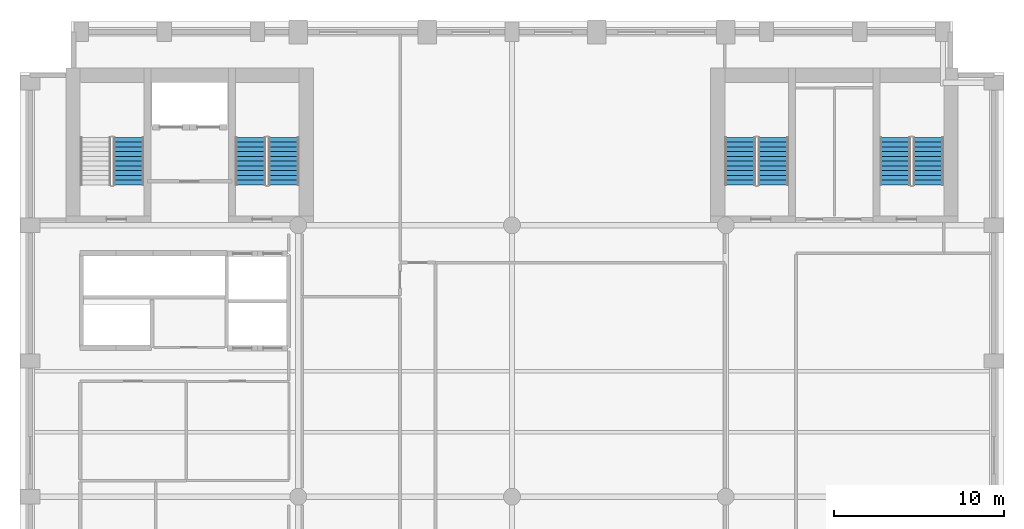
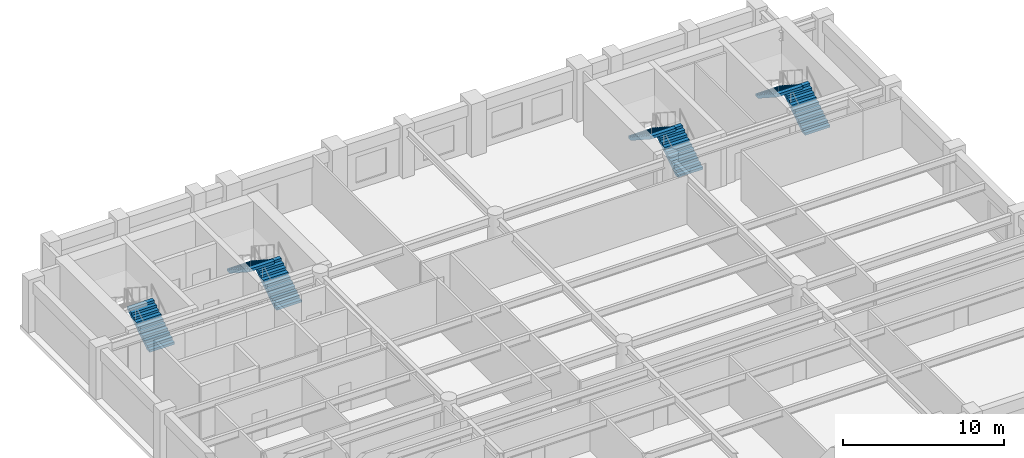
# One storey, part 6 of 8: 7 stair flights, 4 elements without a shape of their own.
"""IFC4 building model written with IfcOpenShell, lengths in metres."""

from ifc_helpers import new_model, si_unit, direction, frame, origin, place, context, subcontext, project, spatial, polyline, outline, extrude, material, type_object, element, aggregate, save


model = new_model("IFC4")

# Units and contexts
model_context = context("Model", 3, precision=1e-05, world=origin(), true_north=direction((0.0, 1.0)))
body_context = subcontext(model_context, "Body", "Model", "MODEL_VIEW")
ifc_project = project(units=[si_unit("LENGTHUNIT", "METRE"), si_unit("AREAUNIT", "SQUARE_METRE"), si_unit("VOLUMEUNIT", "CUBIC_METRE"), si_unit("PLANEANGLEUNIT", "RADIAN"), si_unit("MASSUNIT", "GRAM", prefix="KILO")], contexts=[model_context])

# Site, building, storey
site_placement = place(None, origin())
site = spatial("IfcSite", under=ifc_project, at=site_placement, CompositionType="ELEMENT")
building_placement = place(site_placement, origin())
building = spatial("IfcBuilding", under=site, at=building_placement, Name="Sulina Concourse Tower", CompositionType="ELEMENT")
storey_placement = place(building_placement, frame((0.0, 0.0, 132.60009765625)))
storey = spatial("IfcBuildingStorey", under=building, at=storey_placement, Name="L32", CompositionType="ELEMENT", Elevation=132.60009765625)

# Stair, stair flights
ifc_material_1 = material(Name="Concrete C50/60", Category="concrete")
stair_type_1 = type_object("IfcStairType", Name="Portal & Podium Core Exit Stair 1820mm", PredefinedType="HALF_TURN_STAIR", material=ifc_material_1)
stair_1_placement = place(storey_placement, origin())
stair_1 = element("IfcStair", 1, at=stair_1_placement, inside=storey, type_object=stair_type_1, Name="L32 ST-3", PredefinedType="HALF_TURN_STAIR")
ifc_material_2 = material(Name="Concrete C50/60", Category="concrete")
stair_flight_type_1 = type_object("IfcStairFlightType", Name="Portal & Podium Core Exit Stair 1820mm Flight", PredefinedType="STRAIGHT", material=ifc_material_2)
stair_flight_1_placement = place(storey_placement, frame((44.405029296875, 36.375, 0.0), z_axis=(0.0, 0.0, 1.0), x_axis=(0.0, 1.0, 0.0)))
stair_flight_1 = element("IfcStairFlight", 2, at=stair_flight_1_placement, type_object=stair_flight_type_1, Name="ST-3 flight 1", NumberOfRisers=11, NumberOfTreads=10, PredefinedType="STRAIGHT", RiserHeight=0.181818182, TreadLength=0.28, context=body_context, shape_type="SweptSolid", body=[
    extrude(outline(polyline([(0.0, 0.0), (0.0, 0.181884765625), (0.280029296875, 0.181884765625), (0.280029296875, 0.363525390625), (0.56005859375, 0.363525390625), (0.56005859375, 0.54541015625), (0.840087890625, 0.54541015625), (0.840087890625, 0.727294921875), (1.1201171875, 0.727294921875), (1.1201171875, 0.9091796875), (1.39990234375, 0.9091796875), (1.39990234375, 1.0908203125), (1.679931640625, 1.0908203125), (1.679931640625, 1.272705078125), (1.9599609375, 1.272705078125), (1.9599609375, 1.45458984375), (2.239990234375, 1.45458984375), (2.239990234375, 1.636474609375), (2.52001953125, 1.636474609375), (2.52001953125, 1.818115234375), (2.800048828125, 1.818115234375), (2.800048828125, 2.0), (2.800048828125, 1.603759765625), (0.330322265625, 0.0), (0.0, 0.0)])), frame((0.0, 0.89990234375, 0.0), z_axis=(0.0, -1.0, 0.0), x_axis=(1.0, 0.0, 0.0)), (0.0, 0.0, 1.0), 1.800048828125),
])
stair_flight_2_placement = place(storey_placement, frame((42.455078125, 39.175048828125, 2.0), z_axis=(0.0, 0.0, 1.0), x_axis=(0.0, -1.0, 0.0)))
stair_flight_2 = element("IfcStairFlight", 3, at=stair_flight_2_placement, type_object=stair_flight_type_1, Name="ST-3 flight 2", NumberOfRisers=11, NumberOfTreads=10, PredefinedType="STRAIGHT", RiserHeight=0.181818182, TreadLength=0.28, context=body_context, shape_type="SweptSolid", body=[
    extrude(outline(polyline([(0.0, 0.0), (0.0, 0.181884765625), (0.280029296875, 0.181884765625), (0.280029296875, 0.363525390625), (0.56005859375, 0.363525390625), (0.56005859375, 0.54541015625), (0.840087890625, 0.54541015625), (0.840087890625, 0.727294921875), (1.1201171875, 0.727294921875), (1.1201171875, 0.9091796875), (1.39990234375, 0.9091796875), (1.39990234375, 1.0908203125), (1.679931640625, 1.0908203125), (1.679931640625, 1.272705078125), (1.9599609375, 1.272705078125), (1.9599609375, 1.45458984375), (2.239990234375, 1.45458984375), (2.239990234375, 1.636474609375), (2.52001953125, 1.636474609375), (2.52001953125, 1.818115234375), (2.800048828125, 1.818115234375), (2.800048828125, 2.0), (2.800048828125, 1.603759765625), (0.330322265625, 0.0), (0.0, 0.0)])), frame((0.0, 0.89990234375, 0.0), z_axis=(0.0, -1.0, 0.0), x_axis=(1.0, 0.0, 0.0)), (0.0, 0.0, 1.0), 1.800048828125),
])
aggregate(stair_1, [stair_flight_1, stair_flight_2])

stair_2_placement = place(storey_placement, origin())
stair_2 = element("IfcStair", 4, at=stair_2_placement, inside=storey, type_object=stair_type_1, Name="L32 ST-4", PredefinedType="HALF_TURN_STAIR")
stair_flight_3_placement = place(storey_placement, frame((53.544921875, 36.375, 0.0), z_axis=(0.0, 0.0, 1.0), x_axis=(0.0, 1.0, 0.0)))
stair_flight_3 = element("IfcStairFlight", 5, at=stair_flight_3_placement, type_object=stair_flight_type_1, Name="ST-4 flight 1", NumberOfRisers=11, NumberOfTreads=10, PredefinedType="STRAIGHT", RiserHeight=0.181818182, TreadLength=0.28, context=body_context, shape_type="SweptSolid", body=[
    extrude(outline(polyline([(0.0, 0.0), (0.0, 0.181884765625), (0.280029296875, 0.181884765625), (0.280029296875, 0.363525390625), (0.56005859375, 0.363525390625), (0.56005859375, 0.54541015625), (0.840087890625, 0.54541015625), (0.840087890625, 0.727294921875), (1.1201171875, 0.727294921875), (1.1201171875, 0.9091796875), (1.39990234375, 0.9091796875), (1.39990234375, 1.0908203125), (1.679931640625, 1.0908203125), (1.679931640625, 1.272705078125), (1.9599609375, 1.272705078125), (1.9599609375, 1.45458984375), (2.239990234375, 1.45458984375), (2.239990234375, 1.636474609375), (2.52001953125, 1.636474609375), (2.52001953125, 1.818115234375), (2.800048828125, 1.818115234375), (2.800048828125, 2.0), (2.800048828125, 1.603759765625), (0.330322265625, 0.0), (0.0, 0.0)])), frame((0.0, 0.89990234375, 0.0), z_axis=(0.0, -1.0, 0.0), x_axis=(1.0, 0.0, 0.0)), (0.0, 0.0, 1.0), 1.800048828125),
])
stair_flight_4_placement = place(storey_placement, frame((51.594970703125, 39.175048828125, 2.0), z_axis=(0.0, 0.0, 1.0), x_axis=(0.0, -1.0, 0.0)))
stair_flight_4 = element("IfcStairFlight", 6, at=stair_flight_4_placement, type_object=stair_flight_type_1, Name="ST-4 flight 2", NumberOfRisers=11, NumberOfTreads=10, PredefinedType="STRAIGHT", RiserHeight=0.181818182, TreadLength=0.28, context=body_context, shape_type="SweptSolid", body=[
    extrude(outline(polyline([(0.0, 0.0), (0.0, 0.181884765625), (0.280029296875, 0.181884765625), (0.280029296875, 0.363525390625), (0.56005859375, 0.363525390625), (0.56005859375, 0.54541015625), (0.840087890625, 0.54541015625), (0.840087890625, 0.727294921875), (1.1201171875, 0.727294921875), (1.1201171875, 0.9091796875), (1.39990234375, 0.9091796875), (1.39990234375, 1.0908203125), (1.679931640625, 1.0908203125), (1.679931640625, 1.272705078125), (1.9599609375, 1.272705078125), (1.9599609375, 1.45458984375), (2.239990234375, 1.45458984375), (2.239990234375, 1.636474609375), (2.52001953125, 1.636474609375), (2.52001953125, 1.818115234375), (2.800048828125, 1.818115234375), (2.800048828125, 2.0), (2.800048828125, 1.603759765625), (0.330322265625, 0.0), (0.0, 0.0)])), frame((0.0, 0.89990234375, 0.0), z_axis=(0.0, -1.0, 0.0), x_axis=(1.0, 0.0, 0.0)), (0.0, 0.0, 1.0), 1.800048828125),
])
aggregate(stair_2, [stair_flight_3, stair_flight_4])

# Stair, stair flight
ifc_material_3 = material(Name="Concrete C50/60", Category="concrete")
stair_type_2 = type_object("IfcStairType", Name="Primary Core Dog-Leg Exit Stair 1800mm", PredefinedType="HALF_TURN_STAIR", material=ifc_material_3)
stair_3_placement = place(storey_placement, origin())
stair_3 = element("IfcStair", 7, at=stair_3_placement, inside=storey, type_object=stair_type_2, Name="L32 ST-1", PredefinedType="HALF_TURN_STAIR")
ifc_material_4 = material(Name="Concrete C50/60", Category="concrete")
stair_flight_type_2 = type_object("IfcStairFlightType", Name="Primary Core Dog-Leg Exit Stair 1800mm Flight", PredefinedType="STRAIGHT", material=ifc_material_4)
stair_flight_5_placement = place(storey_placement, frame((6.405029296875, 36.375, 0.0), z_axis=(0.0, 0.0, 1.0), x_axis=(0.0, 1.0, 0.0)))
stair_flight_5 = element("IfcStairFlight", 8, at=stair_flight_5_placement, type_object=stair_flight_type_2, Name="ST-1 flight 1", NumberOfRisers=11, NumberOfTreads=10, PredefinedType="STRAIGHT", RiserHeight=0.181818182, TreadLength=0.28, context=body_context, shape_type="SweptSolid", body=[
    extrude(outline(polyline([(0.0, 0.0), (0.0, 0.181884765625), (0.280029296875, 0.181884765625), (0.280029296875, 0.363525390625), (0.56005859375, 0.363525390625), (0.56005859375, 0.54541015625), (0.840087890625, 0.54541015625), (0.840087890625, 0.727294921875), (1.1201171875, 0.727294921875), (1.1201171875, 0.9091796875), (1.39990234375, 0.9091796875), (1.39990234375, 1.0908203125), (1.679931640625, 1.0908203125), (1.679931640625, 1.272705078125), (1.9599609375, 1.272705078125), (1.9599609375, 1.45458984375), (2.239990234375, 1.45458984375), (2.239990234375, 1.636474609375), (2.52001953125, 1.636474609375), (2.52001953125, 1.818115234375), (2.800048828125, 1.818115234375), (2.800048828125, 2.0), (2.800048828125, 1.603759765625), (0.330322265625, 0.0), (0.0, 0.0)])), frame((0.0, 0.89990234375, 0.0), z_axis=(0.0, -1.0, 0.0), x_axis=(1.0, 0.0, 0.0)), (0.0, 0.0, 1.0), 1.800048828125),
])
aggregate(stair_3, [stair_flight_5])

# Stair, stair flights
stair_4_placement = place(storey_placement, origin())
stair_4 = element("IfcStair", 9, at=stair_4_placement, inside=storey, type_object=stair_type_2, Name="L32 ST-2", PredefinedType="HALF_TURN_STAIR")
stair_flight_6_placement = place(storey_placement, frame((15.544921875, 36.375, 0.0), z_axis=(0.0, 0.0, 1.0), x_axis=(0.0, 1.0, 0.0)))
stair_flight_6 = element("IfcStairFlight", 10, at=stair_flight_6_placement, type_object=stair_flight_type_2, Name="ST-2 flight 1", NumberOfRisers=11, NumberOfTreads=10, PredefinedType="STRAIGHT", RiserHeight=0.181818182, TreadLength=0.28, context=body_context, shape_type="SweptSolid", body=[
    extrude(outline(polyline([(0.0, 0.0), (0.0, 0.181884765625), (0.280029296875, 0.181884765625), (0.280029296875, 0.363525390625), (0.56005859375, 0.363525390625), (0.56005859375, 0.54541015625), (0.840087890625, 0.54541015625), (0.840087890625, 0.727294921875), (1.1201171875, 0.727294921875), (1.1201171875, 0.9091796875), (1.39990234375, 0.9091796875), (1.39990234375, 1.0908203125), (1.679931640625, 1.0908203125), (1.679931640625, 1.272705078125), (1.9599609375, 1.272705078125), (1.9599609375, 1.45458984375), (2.239990234375, 1.45458984375), (2.239990234375, 1.636474609375), (2.52001953125, 1.636474609375), (2.52001953125, 1.818115234375), (2.800048828125, 1.818115234375), (2.800048828125, 2.0), (2.800048828125, 1.603759765625), (0.330322265625, 0.0), (0.0, 0.0)])), frame((0.0, 0.89990234375, 0.0), z_axis=(0.0, -1.0, 0.0), x_axis=(1.0, 0.0, 0.0)), (0.0, 0.0, 1.0), 1.800048828125),
])
stair_flight_7_placement = place(storey_placement, frame((13.594970703125, 39.175048828125, 2.0), z_axis=(0.0, 0.0, 1.0), x_axis=(0.0, -1.0, 0.0)))
stair_flight_7 = element("IfcStairFlight", 11, at=stair_flight_7_placement, type_object=stair_flight_type_2, Name="ST-2 flight 2", NumberOfRisers=11, NumberOfTreads=10, PredefinedType="STRAIGHT", RiserHeight=0.181818182, TreadLength=0.28, context=body_context, shape_type="SweptSolid", body=[
    extrude(outline(polyline([(0.0, 0.0), (0.0, 0.181884765625), (0.280029296875, 0.181884765625), (0.280029296875, 0.363525390625), (0.56005859375, 0.363525390625), (0.56005859375, 0.54541015625), (0.840087890625, 0.54541015625), (0.840087890625, 0.727294921875), (1.1201171875, 0.727294921875), (1.1201171875, 0.9091796875), (1.39990234375, 0.9091796875), (1.39990234375, 1.0908203125), (1.679931640625, 1.0908203125), (1.679931640625, 1.272705078125), (1.9599609375, 1.272705078125), (1.9599609375, 1.45458984375), (2.239990234375, 1.45458984375), (2.239990234375, 1.636474609375), (2.52001953125, 1.636474609375), (2.52001953125, 1.818115234375), (2.800048828125, 1.818115234375), (2.800048828125, 2.0), (2.800048828125, 1.603759765625), (0.330322265625, 0.0), (0.0, 0.0)])), frame((0.0, 0.89990234375, 0.0), z_axis=(0.0, -1.0, 0.0), x_axis=(1.0, 0.0, 0.0)), (0.0, 0.0, 1.0), 1.800048828125),
])
aggregate(stair_4, [stair_flight_6, stair_flight_7])

save(model, "model.ifc")
